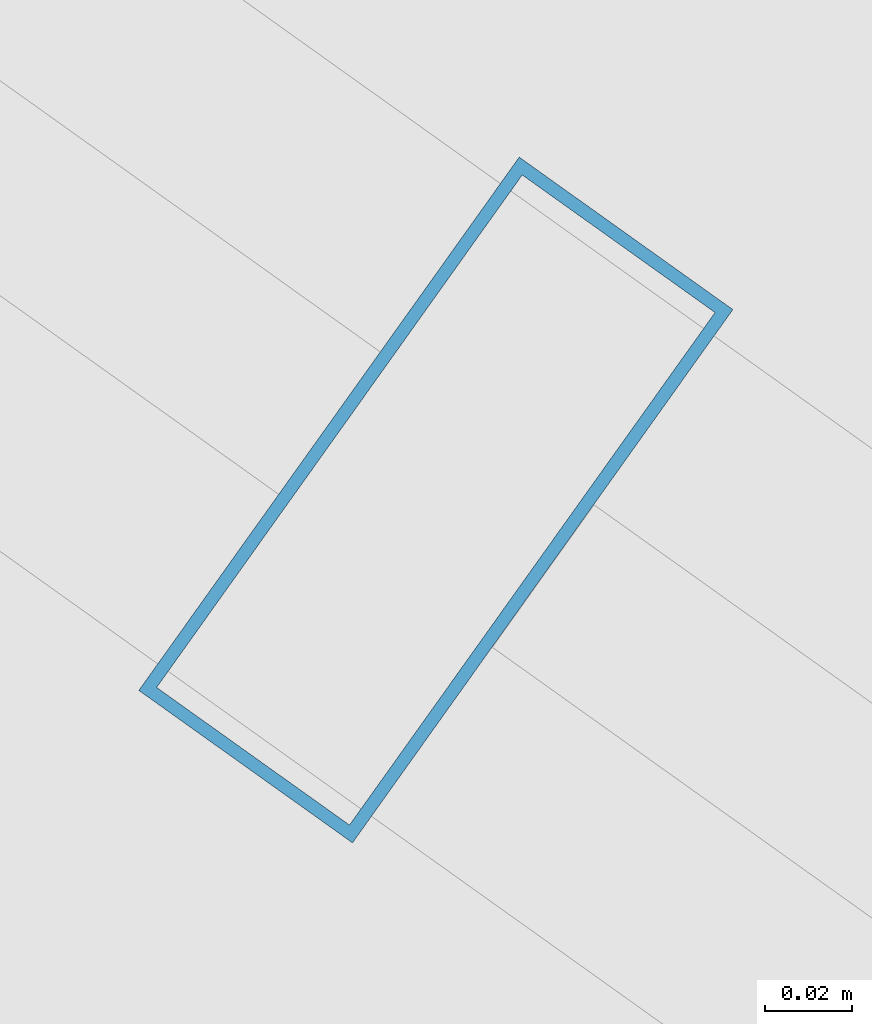
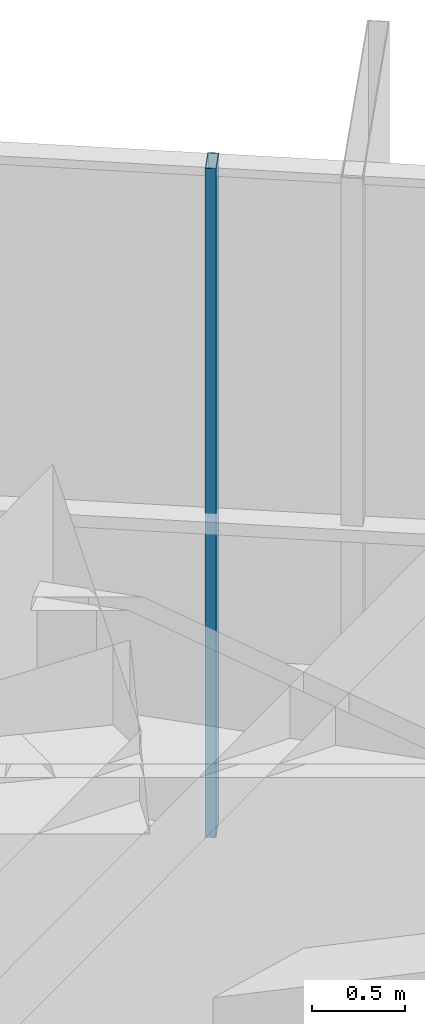
# One storey, part 26 of 31: 1 member, 1 element without a shape of its own.
"""IFC4 building model written with IfcOpenShell, lengths in metres."""

import ifcopenshell
import ifcopenshell.guid

model = None  # the IFC model being written
_history = None  # IfcOwnerHistory: only IFC2X3 demands one
_inside = {}  # id of a spatial element -> (the spatial element, [elements in it])
_under = {}  # id of a project, library or spatial element -> (it, [spatial elements below it])
_declared = {}  # id of a project -> (the project, [libraries it declares])
_typed = {}  # id of a type object -> (the type object, [elements of that type])
_made_of = {}  # id of a material, layer set ... -> (it, [elements and type objects made of it])


def new_model(schema):
    """Start an empty IFC model of exactly this schema.

    Asked for "IFC4X3", IfcOpenShell would pick the latest addendum, in which some entities
    have other attributes; the version numbers below select the first issue.
    IFC2X3 requires an IfcOwnerHistory on every rooted entity: one is made here for all.
    """
    global model, _history
    if schema == "IFC4X3":
        model = ifcopenshell.file(schema_version=(4, 3, 0, 0))
    else:
        model = ifcopenshell.file(schema=schema)
    _inside.clear()
    _under.clear()
    _declared.clear()
    _typed.clear()
    _made_of.clear()
    _history = None
    if model.schema == "IFC2X3":
        org = make("IfcOrganization", Name="unknown")
        user = make(
            "IfcPersonAndOrganization",
            ThePerson=make("IfcPerson", FamilyName="unknown"),
            TheOrganization=org,
        )
        app = make(
            "IfcApplication",
            ApplicationDeveloper=org,
            Version="unknown",
            ApplicationFullName="unknown",
            ApplicationIdentifier="unknown",
        )
        _history = make(
            "IfcOwnerHistory",
            OwningUser=user,
            OwningApplication=app,
            ChangeAction="ADDED",
            CreationDate=0,
        )
    return model


def make(cls, **values):
    """One entity of the class cls with the attributes given. An attribute that is None is left unset."""
    return model.create_entity(
        cls, **{name: value for name, value in values.items() if value is not None}
    )


def rooted(cls, **values):
    """An entity with a GlobalId (a new one), such as an element, a storey or a relation."""
    return make(cls, GlobalId=ifcopenshell.guid.new(), OwnerHistory=_history, **values)


def si_unit(unit_type, name, prefix=None):
    """IfcSIUnit, for example si_unit("LENGTHUNIT", "METRE", prefix="MILLI")."""
    return make("IfcSIUnit", UnitType=unit_type, Prefix=prefix, Name=name)


def assignment(units):
    """IfcUnitAssignment: the units of a project."""
    return None if units is None else make("IfcUnitAssignment", Units=units)


def point(xyz):
    """IfcCartesianPoint."""
    return None if xyz is None else make("IfcCartesianPoint", Coordinates=xyz)


def direction(xyz):
    """IfcDirection."""
    return None if xyz is None else make("IfcDirection", DirectionRatios=xyz)


def frame(location, z_axis=None, x_axis=None):
    """IfcAxis2Placement3D, a coordinate frame: its origin and axes. An axis left out is left unset."""
    return make(
        "IfcAxis2Placement3D",
        Location=point(location),
        Axis=direction(z_axis),
        RefDirection=direction(x_axis),
    )


def frame_2d(location, x_axis=None):
    """IfcAxis2Placement2D, a coordinate frame in the plane: its origin and x axis."""
    return make(
        "IfcAxis2Placement2D", Location=point(location), RefDirection=direction(x_axis)
    )


def origin():
    """The frame at (0, 0, 0) with its axes left unset."""
    return frame((0.0, 0.0, 0.0))


def origin_2d():
    """The frame at (0, 0) in the plane with its x axis left unset."""
    return frame_2d((0.0, 0.0))


def place(relative_to, where):
    """IfcLocalPlacement: puts the frame where relative to a parent placement (None: the world)."""
    return make(
        "IfcLocalPlacement", PlacementRelTo=relative_to, RelativePlacement=where
    )


def context(
    kind, dimensions, precision=None, world=None, true_north=None, identifier=None
):
    """IfcGeometricRepresentationContext, for example the 3D "Model" context."""
    return make(
        "IfcGeometricRepresentationContext",
        ContextIdentifier=identifier,
        ContextType=kind,
        CoordinateSpaceDimension=dimensions,
        Precision=precision,
        WorldCoordinateSystem=world,
        TrueNorth=true_north,
    )


def subcontext(parent, identifier, kind, view, scale=None):
    """IfcGeometricRepresentationSubContext, for example "Body" below "Model"."""
    return make(
        "IfcGeometricRepresentationSubContext",
        ContextIdentifier=identifier,
        ContextType=kind,
        ParentContext=parent,
        TargetScale=scale,
        TargetView=view,
    )


def project(units=None, contexts=None):
    """IfcProject with its units and contexts."""
    return rooted(
        "IfcProject",
        Name="project",
        RepresentationContexts=contexts,
        UnitsInContext=assignment(units),
    )


def spatial(cls, under=None, at=None, **own):
    """A site, building, storey or space (cls), placed at a placement, below another one or the project."""
    s = rooted(cls, ObjectPlacement=at, **own)
    if under is not None:
        _under.setdefault(under.id(), (under, []))[1].append(s)
    return s


def profile(cls, at=None, kind="AREA", **sizes):
    """A parametric profile (cls). Its sizes go by their IFC names, for example OverallWidth=200.0."""
    return make(cls, ProfileType=kind, Position=at, **sizes)


def hollow_rectangle(**sizes):
    """IfcRectangleHollowProfileDef."""
    return profile("IfcRectangleHollowProfileDef", **sizes)


def extrude(swept, where, along, depth):
    """IfcExtrudedAreaSolid: the profile swept, set in the frame where, extruded along a direction by depth."""
    return make(
        "IfcExtrudedAreaSolid",
        SweptArea=swept,
        Position=where,
        ExtrudedDirection=direction(along),
        Depth=depth,
    )


def shape(context_of_items, identifier, shape_type, items):
    """IfcShapeRepresentation: the items that make up one representation, for example the "Body"."""
    return make(
        "IfcShapeRepresentation",
        ContextOfItems=context_of_items,
        RepresentationIdentifier=identifier,
        RepresentationType=shape_type,
        Items=items,
    )


def source(mapping_origin, context_of_items, identifier, shape_type, items):
    """IfcRepresentationMap: a shape defined once, which mapped items show again and again."""
    return make(
        "IfcRepresentationMap",
        MappingOrigin=mapping_origin,
        MappedRepresentation=shape(context_of_items, identifier, shape_type, items),
    )


def transform(
    local_origin,
    x_axis=None,
    y_axis=None,
    z_axis=None,
    scale=None,
    scale2=None,
    scale3=None,
    uniform=True,
):
    """IfcCartesianTransformationOperator3D, or its non-uniform kind. x_axis, y_axis, z_axis: its Axis1, 2, 3."""
    if uniform:
        return make(
            "IfcCartesianTransformationOperator3D",
            Axis1=direction(x_axis),
            Axis2=direction(y_axis),
            LocalOrigin=point(local_origin),
            Scale=scale,
            Axis3=direction(z_axis),
        )
    return make(
        "IfcCartesianTransformationOperator3DnonUniform",
        Axis1=direction(x_axis),
        Axis2=direction(y_axis),
        LocalOrigin=point(local_origin),
        Scale=scale,
        Axis3=direction(z_axis),
        Scale2=scale2,
        Scale3=scale3,
    )


def mapped(mapping_source, mapping_target):
    """IfcMappedItem: shows the shape of a source again, moved by a transform."""
    return make(
        "IfcMappedItem", MappingSource=mapping_source, MappingTarget=mapping_target
    )


def material(Name=None, Category=None):
    """IfcMaterial."""
    return make("IfcMaterial", Name=Name, Category=Category)


def layer(
    of_material, thickness, ventilated=None, Name=None, Category=None, Priority=None
):
    """IfcMaterialLayer: one layer of a wall or slab, of a material (None: an air gap)."""
    return make(
        "IfcMaterialLayer",
        Material=of_material,
        LayerThickness=thickness,
        IsVentilated=ventilated,
        Name=Name,
        Category=Category,
        Priority=Priority,
    )


def layer_set(layers, Name=None):
    """IfcMaterialLayerSet."""
    return make("IfcMaterialLayerSet", MaterialLayers=layers, LayerSetName=Name)


def material_profile(
    of_material, cross_section, Name=None, Category=None, Priority=None
):
    """IfcMaterialProfile: a cross section and its material."""
    return make(
        "IfcMaterialProfile",
        Name=Name,
        Material=of_material,
        Profile=cross_section,
        Priority=Priority,
        Category=Category,
    )


def profile_set(profiles, Name=None, composite=None):
    """IfcMaterialProfileSet."""
    return make(
        "IfcMaterialProfileSet",
        Name=Name,
        MaterialProfiles=profiles,
        CompositeProfile=composite,
    )


def made_of(thing, what):
    """Note that an element or type object is made of a material, layer set ...; save() writes the relation."""
    if what is not None:
        _made_of.setdefault(what.id(), (what, []))[1].append(thing)
    return thing


def type_object(cls, material=None, **own):
    """A type object (cls), such as IfcWallType, which elements share."""
    return made_of(rooted(cls, **own), material)


def element(
    cls,
    number,
    at=None,
    inside=None,
    cuts=None,
    type_object=None,
    material=None,
    context=None,
    identifier="Body",
    shape_type=None,
    held_by="IfcProductDefinitionShape",
    body=None,
    shapes=None,
    **own,
):
    """One element of the class cls, such as IfcWall. Its Tag is "e" and its number.

    at: its placement. inside: the storey or other place that contains it. cuts: it is an
    opening in that element (IfcRelVoidsElement). A single representation is given by context,
    identifier, shape_type and body (its items); several are given by shapes. held_by: the class
    of the entity that holds the representations. save() writes the other relations.
    """
    e = rooted(cls, Tag="e%d" % number, ObjectPlacement=at, **own)
    if body is not None:
        shapes = [shape(context, identifier, shape_type, body)]
    if shapes is not None:
        e.Representation = make(held_by, Representations=shapes)
    if inside is not None:
        _inside.setdefault(inside.id(), (inside, []))[1].append(e)
    if cuts is not None:
        rooted(
            "IfcRelVoidsElement", RelatingBuildingElement=cuts, RelatedOpeningElement=e
        )
    if type_object is not None:
        _typed.setdefault(type_object.id(), (type_object, []))[1].append(e)
    return made_of(e, material)


def aggregate(whole, parts):
    """IfcRelAggregates: a whole, such as a stair, and the parts it consists of."""
    return rooted("IfcRelAggregates", RelatingObject=whole, RelatedObjects=parts)


def save(model, path):
    """Write the relations noted so far, then the file.

    IfcRelAggregates (storeys below a building ...), IfcRelContainedInSpatialStructure (elements
    in a storey), IfcRelDefinesByType, IfcRelAssociatesMaterial and IfcRelDeclares: one each for
    every whole, place, type object, material and project.
    """
    for whole, parts in _under.values():
        aggregate(whole, parts)
    for where, things in _inside.values():
        rooted(
            "IfcRelContainedInSpatialStructure",
            RelatedElements=things,
            RelatingStructure=where,
        )
    for kind, things in _typed.values():
        rooted("IfcRelDefinesByType", RelatedObjects=things, RelatingType=kind)
    for what, things in _made_of.values():
        rooted("IfcRelAssociatesMaterial", RelatedObjects=things, RelatingMaterial=what)
    for by, libraries in _declared.values():
        rooted("IfcRelDeclares", RelatingContext=by, RelatedDefinitions=libraries)
    model.write(path)


model = new_model("IFC4")

# Units and contexts
model_context = context("Model", 3, precision=1e-05, world=origin(), true_north=direction((0.0, 1.0)))
body_context = subcontext(model_context, "Body", "Model", "MODEL_VIEW")
ifc_project = project(units=[si_unit("LENGTHUNIT", "METRE"), si_unit("AREAUNIT", "SQUARE_METRE"), si_unit("VOLUMEUNIT", "CUBIC_METRE"), si_unit("PLANEANGLEUNIT", "RADIAN"), si_unit("MASSUNIT", "GRAM", prefix="KILO")], contexts=[model_context])

# Site, building, storey
site_placement = place(None, origin())
site = spatial("IfcSite", under=ifc_project, at=site_placement, CompositionType="ELEMENT")
building_placement = place(site_placement, origin())
building = spatial("IfcBuilding", under=site, at=building_placement, Name="Veraguas Prism Commons", CompositionType="ELEMENT")
storey_placement = place(building_placement, frame((0.0, 0.0, 225.39990234375)))
storey = spatial("IfcBuildingStorey", under=building, at=storey_placement, Name="L64", CompositionType="ELEMENT", Elevation=225.39990234375)

# Curtain wall, member
ifc_material = material(Name="Anodised aluminium EN AW-6063 T6", Category="aluminium")
ifc_layer = layer(ifc_material, 0.14990234375, Name="Unitised Flush Curtain Wall Zone 3", Category="aluminium")
ifc_layer_set = layer_set([ifc_layer], Name="Anodised aluminium EN AW-6063 T6")
curtain_wall_type = type_object("IfcCurtainWallType", Name="Unitised Flush Curtain Wall Zone 3", PredefinedType="NOTDEFINED", material=ifc_layer_set)
curtain_wall_placement = place(storey_placement, origin())
curtain_wall = element("IfcCurtainWall", 1, at=curtain_wall_placement, inside=storey, type_object=curtain_wall_type, Name="Tower Facade Curtain Wall L64-F1", PredefinedType="NOTDEFINED")
ifc_material_profile = material_profile(ifc_material, hollow_rectangle(XDim=0.06005859375, YDim=0.14990234375, WallThickness=0.0029296875, at=origin_2d()), Name="AL60X150X3")
ifc_profile_set = profile_set([ifc_material_profile], Name="Anodised aluminium EN AW-6063 T6")
member_type = type_object("IfcMemberType", Name="Curtain Wall Mullion Upper AL 60x150x3", PredefinedType="MULLION", material=ifc_profile_set)
shared_shape = source(origin(), body_context, "Body", "SweptSolid", [
    extrude(hollow_rectangle(XDim=0.06005859375, YDim=0.14990234375, WallThickness=0.0029296875, at=origin_2d()), origin(), (0.0, 0.0, 1.0), 4.4150390625),
])
member_placement = place(storey_placement, frame((31.047607421875, 40.726806640625, 0.0), z_axis=(0.0, 0.0, 1.0), x_axis=(-0.814113491316, 0.580705797507, 0.0)))
member = element("IfcMember", 2, at=member_placement, type_object=member_type, Name="CW-Z3 Mullion 4", PredefinedType="MULLION", context=body_context, shape_type="MappedRepresentation", body=[
    mapped(shared_shape, transform((0.0, 0.0, 0.0), scale=1.0)),
])
aggregate(curtain_wall, [member])

save(model, "model.ifc")
